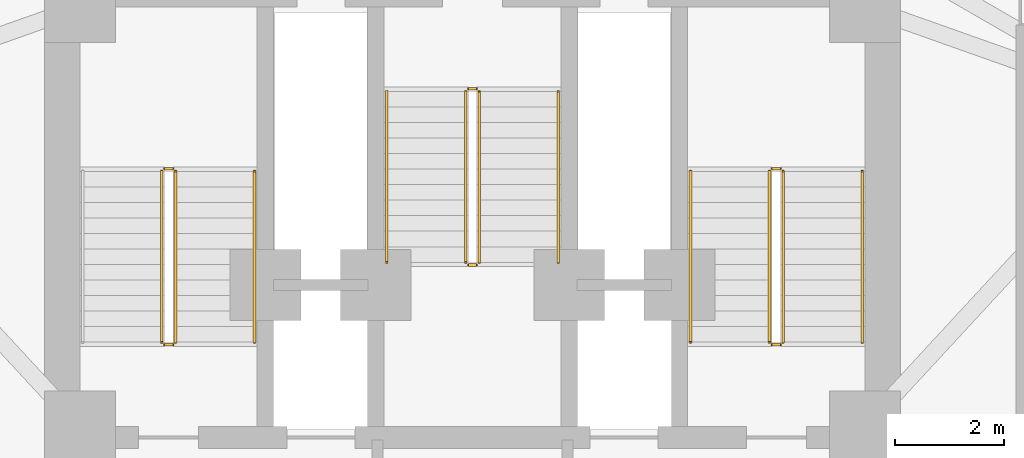
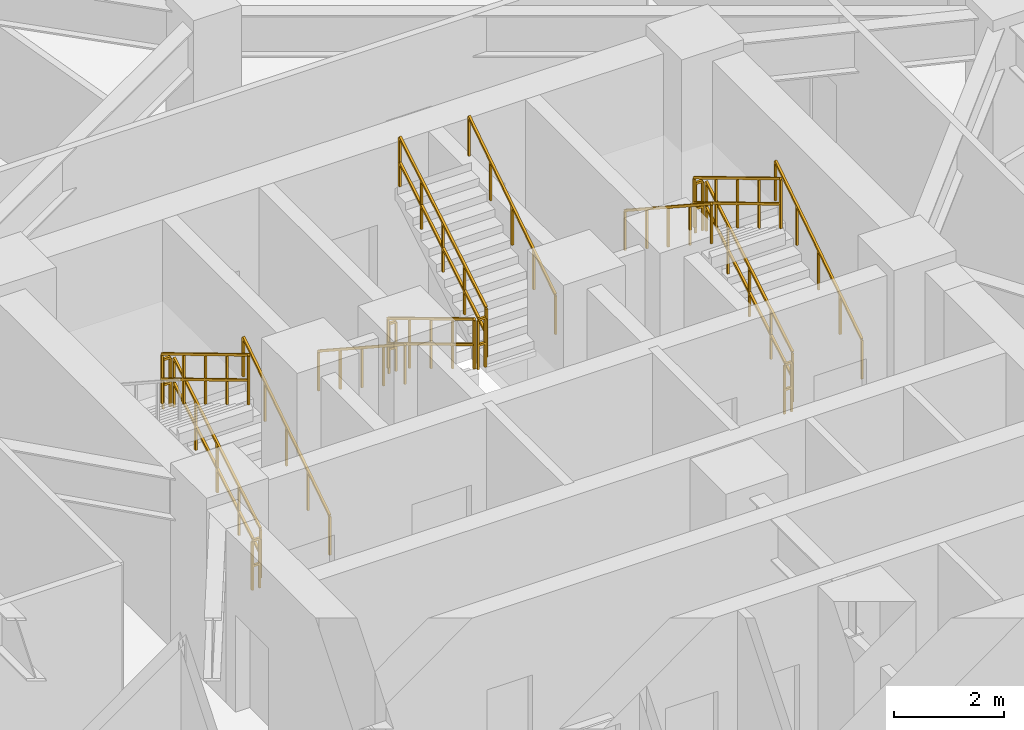
# One storey, part 10 of 11: 17 railings.
"""IFC4 building model written with IfcOpenShell, lengths in metres."""

from ifc_helpers import new_model, si_unit, direction, frame, origin, origin_2d, place, context, subcontext, project, spatial, rectangle, extrude, material, type_object, element, save


model = new_model("IFC4")

# Units and contexts
model_context = context("Model", 3, precision=1e-05, world=origin(), true_north=direction((0.0, 1.0)))
body_context = subcontext(model_context, "Body", "Model", "MODEL_VIEW")
ifc_project = project(units=[si_unit("LENGTHUNIT", "METRE"), si_unit("AREAUNIT", "SQUARE_METRE"), si_unit("VOLUMEUNIT", "CUBIC_METRE"), si_unit("PLANEANGLEUNIT", "RADIAN"), si_unit("MASSUNIT", "GRAM", prefix="KILO")], contexts=[model_context])

# Site, building, storey
site_placement = place(None, origin())
site = spatial("IfcSite", under=ifc_project, at=site_placement, CompositionType="ELEMENT")
building_placement = place(site_placement, origin())
building = spatial("IfcBuilding", under=site, at=building_placement, Name="Apsidion Concourse Tower", CompositionType="ELEMENT")
storey_placement = place(building_placement, frame((0.0, 0.0, 148.60009765625)))
storey = spatial("IfcBuildingStorey", under=building, at=storey_placement, Name="L34", CompositionType="ELEMENT", Elevation=148.60009765625)

# Railings
ifc_material = material(Name="Brushed stainless steel 316", Category="steel")
railing_type_1 = type_object("IfcRailingType", Name="RL-GUARD-1100", PredefinedType="GUARDRAIL", material=ifc_material)
railing_1_placement = place(storey_placement, frame((-5.449951171875, 3.0, 0.170654296875)))
element("IfcRailing", 1, at=railing_1_placement, inside=storey, type_object=railing_type_1, Name="L34 ST1 stair guard 1", PredefinedType="GUARDRAIL", context=body_context, shape_type="SweptSolid", body=[
    extrude(rectangle(XDim=0.048095703125, YDim=0.048095703125, at=origin_2d()), frame((0.0, 0.0, 1.09619140625), z_axis=(0.0, 0.857716804754, 0.514122439544), x_axis=(-1.0, 0.0, 0.0)), (0.0, 0.0, 1.0), 3.655029296875),
    extrude(rectangle(XDim=0.048095703125, YDim=0.048095703125, at=origin_2d()), frame((0.0, 0.0, 0.5361328125), z_axis=(0.0, 0.857716804754, 0.514122439544), x_axis=(-1.0, 0.0, 0.0)), (0.0, 0.0, 1.0), 3.655029296875),
    extrude(rectangle(XDim=0.0419921875, YDim=0.0419921875, at=origin_2d()), origin(), (0.0, 0.0, 1.0), 1.072021484375),
    extrude(rectangle(XDim=0.0419921875, YDim=0.0419921875, at=origin_2d()), frame((0.0, 0.78369140625, 0.4697265625)), (0.0, 0.0, 1.0), 1.072021484375),
    extrude(rectangle(XDim=0.0419921875, YDim=0.0419921875, at=origin_2d()), frame((0.0, 1.5673828125, 0.939453125)), (0.0, 0.0, 1.0), 1.072021484375),
    extrude(rectangle(XDim=0.0419921875, YDim=0.0419921875, at=origin_2d()), frame((0.0, 2.351318359375, 1.409423828125)), (0.0, 0.0, 1.0), 1.072021484375),
    extrude(rectangle(XDim=0.0419921875, YDim=0.0419921875, at=origin_2d()), frame((0.0, 3.135009765625, 1.879150390625)), (0.0, 0.0, 1.0), 1.072021484375),
])
railing_2_placement = place(storey_placement, frame((-5.5, 6.18505859375, 2.0498046875)))
element("IfcRailing", 2, at=railing_2_placement, inside=storey, type_object=railing_type_1, Name="L34 ST1 stair guard 2", PredefinedType="GUARDRAIL", context=body_context, shape_type="SweptSolid", body=[
    extrude(rectangle(XDim=0.048095703125, YDim=0.048095703125, at=origin_2d()), frame((0.0, 0.0, 1.09619140625), z_axis=(-1.0, 0.0, 0.0), x_axis=(0.0, -1.0, 0.0)), (0.0, 0.0, 1.0), 0.14990234375),
    extrude(rectangle(XDim=0.048095703125, YDim=0.048095703125, at=origin_2d()), frame((0.0, 0.0, 0.5361328125), z_axis=(-1.0, 0.0, 0.0), x_axis=(0.0, -1.0, 0.0)), (0.0, 0.0, 1.0), 0.14990234375),
    extrude(rectangle(XDim=0.0419921875, YDim=0.0419921875, at=origin_2d()), origin(), (0.0, 0.0, 1.0), 1.072021484375),
    extrude(rectangle(XDim=0.0419921875, YDim=0.0419921875, at=origin_2d()), frame((-0.14990234375, 0.0, 0.0)), (0.0, 0.0, 1.0), 1.072021484375),
])
railing_3_placement = place(storey_placement, frame((-5.699951171875, 6.135009765625, 2.220703125)))
element("IfcRailing", 3, at=railing_3_placement, inside=storey, type_object=railing_type_1, Name="L34 ST1 stair guard 3", PredefinedType="GUARDRAIL", context=body_context, shape_type="SweptSolid", body=[
    extrude(rectangle(XDim=0.048095703125, YDim=0.048095703125, at=origin_2d()), frame((0.0, 0.0, 1.09619140625), z_axis=(0.0, -0.857716804754, 0.514122439544), x_axis=(1.0, 0.0, 0.0)), (0.0, 0.0, 1.0), 3.655029296875),
    extrude(rectangle(XDim=0.048095703125, YDim=0.048095703125, at=origin_2d()), frame((0.0, 0.0, 0.5361328125), z_axis=(0.0, -0.857716804754, 0.514122439544), x_axis=(1.0, 0.0, 0.0)), (0.0, 0.0, 1.0), 3.655029296875),
    extrude(rectangle(XDim=0.0419921875, YDim=0.0419921875, at=origin_2d()), origin(), (0.0, 0.0, 1.0), 1.072021484375),
    extrude(rectangle(XDim=0.0419921875, YDim=0.0419921875, at=origin_2d()), frame((0.0, -0.78369140625, 0.4697265625)), (0.0, 0.0, 1.0), 1.072021484375),
    extrude(rectangle(XDim=0.0419921875, YDim=0.0419921875, at=origin_2d()), frame((0.0, -1.5673828125, 0.939453125)), (0.0, 0.0, 1.0), 1.072021484375),
    extrude(rectangle(XDim=0.0419921875, YDim=0.0419921875, at=origin_2d()), frame((0.0, -2.351318359375, 1.409423828125)), (0.0, 0.0, 1.0), 1.072021484375),
    extrude(rectangle(XDim=0.0419921875, YDim=0.0419921875, at=origin_2d()), frame((0.0, -3.135009765625, 1.879150390625)), (0.0, 0.0, 1.0), 1.072021484375),
])
railing_4_placement = place(storey_placement, frame((-5.5, 2.949951171875, 0.0)))
element("IfcRailing", 4, at=railing_4_placement, inside=storey, type_object=railing_type_1, Name="L34 ST1 stair guard 4", PredefinedType="GUARDRAIL", context=body_context, shape_type="SweptSolid", body=[
    extrude(rectangle(XDim=0.048095703125, YDim=0.048095703125, at=origin_2d()), frame((0.0, 0.0, 1.09619140625), z_axis=(-1.0, 0.0, 0.0), x_axis=(0.0, -1.0, 0.0)), (0.0, 0.0, 1.0), 0.14990234375),
    extrude(rectangle(XDim=0.048095703125, YDim=0.048095703125, at=origin_2d()), frame((0.0, 0.0, 0.5361328125), z_axis=(-1.0, 0.0, 0.0), x_axis=(0.0, -1.0, 0.0)), (0.0, 0.0, 1.0), 0.14990234375),
    extrude(rectangle(XDim=0.0419921875, YDim=0.0419921875, at=origin_2d()), origin(), (0.0, 0.0, 1.0), 1.072021484375),
    extrude(rectangle(XDim=0.0419921875, YDim=0.0419921875, at=origin_2d()), frame((-0.14990234375, 0.0, 0.0)), (0.0, 0.0, 1.0), 1.072021484375),
])
railing_5_placement = place(storey_placement, frame((5.699951171875, 3.0, 0.170654296875)))
element("IfcRailing", 5, at=railing_5_placement, inside=storey, type_object=railing_type_1, Name="L34 ST2 stair guard 1", PredefinedType="GUARDRAIL", context=body_context, shape_type="SweptSolid", body=[
    extrude(rectangle(XDim=0.048095703125, YDim=0.048095703125, at=origin_2d()), frame((0.0, 0.0, 1.09619140625), z_axis=(0.0, 0.857716804754, 0.514122439544), x_axis=(-1.0, 0.0, 0.0)), (0.0, 0.0, 1.0), 3.655029296875),
    extrude(rectangle(XDim=0.048095703125, YDim=0.048095703125, at=origin_2d()), frame((0.0, 0.0, 0.5361328125), z_axis=(0.0, 0.857716804754, 0.514122439544), x_axis=(-1.0, 0.0, 0.0)), (0.0, 0.0, 1.0), 3.655029296875),
    extrude(rectangle(XDim=0.0419921875, YDim=0.0419921875, at=origin_2d()), origin(), (0.0, 0.0, 1.0), 1.072021484375),
    extrude(rectangle(XDim=0.0419921875, YDim=0.0419921875, at=origin_2d()), frame((0.0, 0.78369140625, 0.4697265625)), (0.0, 0.0, 1.0), 1.072021484375),
    extrude(rectangle(XDim=0.0419921875, YDim=0.0419921875, at=origin_2d()), frame((0.0, 1.5673828125, 0.939453125)), (0.0, 0.0, 1.0), 1.072021484375),
    extrude(rectangle(XDim=0.0419921875, YDim=0.0419921875, at=origin_2d()), frame((0.0, 2.351318359375, 1.409423828125)), (0.0, 0.0, 1.0), 1.072021484375),
    extrude(rectangle(XDim=0.0419921875, YDim=0.0419921875, at=origin_2d()), frame((0.0, 3.135009765625, 1.879150390625)), (0.0, 0.0, 1.0), 1.072021484375),
])
railing_6_placement = place(storey_placement, frame((5.64990234375, 6.18505859375, 2.0498046875)))
element("IfcRailing", 6, at=railing_6_placement, inside=storey, type_object=railing_type_1, Name="L34 ST2 stair guard 2", PredefinedType="GUARDRAIL", context=body_context, shape_type="SweptSolid", body=[
    extrude(rectangle(XDim=0.048095703125, YDim=0.048095703125, at=origin_2d()), frame((0.0, 0.0, 1.09619140625), z_axis=(-1.0, 0.0, 0.0), x_axis=(0.0, -1.0, 0.0)), (0.0, 0.0, 1.0), 0.14990234375),
    extrude(rectangle(XDim=0.048095703125, YDim=0.048095703125, at=origin_2d()), frame((0.0, 0.0, 0.5361328125), z_axis=(-1.0, 0.0, 0.0), x_axis=(0.0, -1.0, 0.0)), (0.0, 0.0, 1.0), 0.14990234375),
    extrude(rectangle(XDim=0.0419921875, YDim=0.0419921875, at=origin_2d()), origin(), (0.0, 0.0, 1.0), 1.072021484375),
    extrude(rectangle(XDim=0.0419921875, YDim=0.0419921875, at=origin_2d()), frame((-0.14990234375, 0.0, 0.0)), (0.0, 0.0, 1.0), 1.072021484375),
])
railing_7_placement = place(storey_placement, frame((5.449951171875, 6.135009765625, 2.220703125)))
element("IfcRailing", 7, at=railing_7_placement, inside=storey, type_object=railing_type_1, Name="L34 ST2 stair guard 3", PredefinedType="GUARDRAIL", context=body_context, shape_type="SweptSolid", body=[
    extrude(rectangle(XDim=0.048095703125, YDim=0.048095703125, at=origin_2d()), frame((0.0, 0.0, 1.09619140625), z_axis=(0.0, -0.857716804754, 0.514122439544), x_axis=(1.0, 0.0, 0.0)), (0.0, 0.0, 1.0), 3.655029296875),
    extrude(rectangle(XDim=0.048095703125, YDim=0.048095703125, at=origin_2d()), frame((0.0, 0.0, 0.5361328125), z_axis=(0.0, -0.857716804754, 0.514122439544), x_axis=(1.0, 0.0, 0.0)), (0.0, 0.0, 1.0), 3.655029296875),
    extrude(rectangle(XDim=0.0419921875, YDim=0.0419921875, at=origin_2d()), origin(), (0.0, 0.0, 1.0), 1.072021484375),
    extrude(rectangle(XDim=0.0419921875, YDim=0.0419921875, at=origin_2d()), frame((0.0, -0.78369140625, 0.4697265625)), (0.0, 0.0, 1.0), 1.072021484375),
    extrude(rectangle(XDim=0.0419921875, YDim=0.0419921875, at=origin_2d()), frame((0.0, -1.5673828125, 0.939453125)), (0.0, 0.0, 1.0), 1.072021484375),
    extrude(rectangle(XDim=0.0419921875, YDim=0.0419921875, at=origin_2d()), frame((0.0, -2.351318359375, 1.409423828125)), (0.0, 0.0, 1.0), 1.072021484375),
    extrude(rectangle(XDim=0.0419921875, YDim=0.0419921875, at=origin_2d()), frame((0.0, -3.135009765625, 1.879150390625)), (0.0, 0.0, 1.0), 1.072021484375),
])
railing_8_placement = place(storey_placement, frame((5.64990234375, 2.949951171875, 0.0)))
element("IfcRailing", 8, at=railing_8_placement, inside=storey, type_object=railing_type_1, Name="L34 ST2 stair guard 4", PredefinedType="GUARDRAIL", context=body_context, shape_type="SweptSolid", body=[
    extrude(rectangle(XDim=0.048095703125, YDim=0.048095703125, at=origin_2d()), frame((0.0, 0.0, 1.09619140625), z_axis=(-1.0, 0.0, 0.0), x_axis=(0.0, -1.0, 0.0)), (0.0, 0.0, 1.0), 0.14990234375),
    extrude(rectangle(XDim=0.048095703125, YDim=0.048095703125, at=origin_2d()), frame((0.0, 0.0, 0.5361328125), z_axis=(-1.0, 0.0, 0.0), x_axis=(0.0, -1.0, 0.0)), (0.0, 0.0, 1.0), 0.14990234375),
    extrude(rectangle(XDim=0.0419921875, YDim=0.0419921875, at=origin_2d()), origin(), (0.0, 0.0, 1.0), 1.072021484375),
    extrude(rectangle(XDim=0.0419921875, YDim=0.0419921875, at=origin_2d()), frame((-0.14990234375, 0.0, 0.0)), (0.0, 0.0, 1.0), 1.072021484375),
])
railing_9_placement = place(storey_placement, frame((-0.125, 7.60009765625, 0.170654296875)))
element("IfcRailing", 9, at=railing_9_placement, inside=storey, type_object=railing_type_1, Name="L34 ST3 stair guard 1", PredefinedType="GUARDRAIL", context=body_context, shape_type="SweptSolid", body=[
    extrude(rectangle(XDim=0.048095703125, YDim=0.048095703125, at=origin_2d()), frame((0.0, 0.0, 1.09619140625), z_axis=(0.0, -0.857716804754, 0.514122439544), x_axis=(1.0, 0.0, 0.0)), (0.0, 0.0, 1.0), 3.655029296875),
    extrude(rectangle(XDim=0.048095703125, YDim=0.048095703125, at=origin_2d()), frame((0.0, 0.0, 0.5361328125), z_axis=(0.0, -0.857716804754, 0.514122439544), x_axis=(1.0, 0.0, 0.0)), (0.0, 0.0, 1.0), 3.655029296875),
    extrude(rectangle(XDim=0.0419921875, YDim=0.0419921875, at=origin_2d()), origin(), (0.0, 0.0, 1.0), 1.072021484375),
    extrude(rectangle(XDim=0.0419921875, YDim=0.0419921875, at=origin_2d()), frame((0.0, -0.78369140625, 0.4697265625)), (0.0, 0.0, 1.0), 1.072021484375),
    extrude(rectangle(XDim=0.0419921875, YDim=0.0419921875, at=origin_2d()), frame((0.0, -1.5673828125, 0.939453125)), (0.0, 0.0, 1.0), 1.072021484375),
    extrude(rectangle(XDim=0.0419921875, YDim=0.0419921875, at=origin_2d()), frame((0.0, -2.351318359375, 1.409423828125)), (0.0, 0.0, 1.0), 1.072021484375),
    extrude(rectangle(XDim=0.0419921875, YDim=0.0419921875, at=origin_2d()), frame((0.0, -3.135009765625, 1.879150390625)), (0.0, 0.0, 1.0), 1.072021484375),
])
railing_10_placement = place(storey_placement, frame((-0.074951171875, 4.4150390625, 2.0498046875)))
element("IfcRailing", 10, at=railing_10_placement, inside=storey, type_object=railing_type_1, Name="L34 ST3 stair guard 2", PredefinedType="GUARDRAIL", context=body_context, shape_type="SweptSolid", body=[
    extrude(rectangle(XDim=0.048095703125, YDim=0.048095703125, at=origin_2d()), frame((0.0, 0.0, 1.09619140625), z_axis=(1.0, 0.0, 0.0), x_axis=(0.0, 1.0, 0.0)), (0.0, 0.0, 1.0), 0.14990234375),
    extrude(rectangle(XDim=0.048095703125, YDim=0.048095703125, at=origin_2d()), frame((0.0, 0.0, 0.5361328125), z_axis=(1.0, 0.0, 0.0), x_axis=(0.0, 1.0, 0.0)), (0.0, 0.0, 1.0), 0.14990234375),
    extrude(rectangle(XDim=0.0419921875, YDim=0.0419921875, at=origin_2d()), origin(), (0.0, 0.0, 1.0), 1.072021484375),
    extrude(rectangle(XDim=0.0419921875, YDim=0.0419921875, at=origin_2d()), frame((0.14990234375, 0.0, 0.0)), (0.0, 0.0, 1.0), 1.072021484375),
])
railing_11_placement = place(storey_placement, frame((0.125, 4.465087890625, 2.220703125)))
element("IfcRailing", 11, at=railing_11_placement, inside=storey, type_object=railing_type_1, Name="L34 ST3 stair guard 3", PredefinedType="GUARDRAIL", context=body_context, shape_type="SweptSolid", body=[
    extrude(rectangle(XDim=0.048095703125, YDim=0.048095703125, at=origin_2d()), frame((0.0, 0.0, 1.09619140625), z_axis=(0.0, 0.857716804754, 0.514122439544), x_axis=(-1.0, 0.0, 0.0)), (0.0, 0.0, 1.0), 3.655029296875),
    extrude(rectangle(XDim=0.048095703125, YDim=0.048095703125, at=origin_2d()), frame((0.0, 0.0, 0.5361328125), z_axis=(0.0, 0.857716804754, 0.514122439544), x_axis=(-1.0, 0.0, 0.0)), (0.0, 0.0, 1.0), 3.655029296875),
    extrude(rectangle(XDim=0.0419921875, YDim=0.0419921875, at=origin_2d()), origin(), (0.0, 0.0, 1.0), 1.072021484375),
    extrude(rectangle(XDim=0.0419921875, YDim=0.0419921875, at=origin_2d()), frame((0.0, 0.78369140625, 0.4697265625)), (0.0, 0.0, 1.0), 1.072021484375),
    extrude(rectangle(XDim=0.0419921875, YDim=0.0419921875, at=origin_2d()), frame((0.0, 1.5673828125, 0.939453125)), (0.0, 0.0, 1.0), 1.072021484375),
    extrude(rectangle(XDim=0.0419921875, YDim=0.0419921875, at=origin_2d()), frame((0.0, 2.351318359375, 1.409423828125)), (0.0, 0.0, 1.0), 1.072021484375),
    extrude(rectangle(XDim=0.0419921875, YDim=0.0419921875, at=origin_2d()), frame((0.0, 3.135009765625, 1.879150390625)), (0.0, 0.0, 1.0), 1.072021484375),
])
railing_12_placement = place(storey_placement, frame((-0.074951171875, 7.64990234375, 0.0)))
element("IfcRailing", 12, at=railing_12_placement, inside=storey, type_object=railing_type_1, Name="L34 ST3 stair guard 4", PredefinedType="GUARDRAIL", context=body_context, shape_type="SweptSolid", body=[
    extrude(rectangle(XDim=0.048095703125, YDim=0.048095703125, at=origin_2d()), frame((0.0, 0.0, 1.09619140625), z_axis=(1.0, 0.0, 0.0), x_axis=(0.0, 1.0, 0.0)), (0.0, 0.0, 1.0), 0.14990234375),
    extrude(rectangle(XDim=0.048095703125, YDim=0.048095703125, at=origin_2d()), frame((0.0, 0.0, 0.5361328125), z_axis=(1.0, 0.0, 0.0), x_axis=(0.0, 1.0, 0.0)), (0.0, 0.0, 1.0), 0.14990234375),
    extrude(rectangle(XDim=0.0419921875, YDim=0.0419921875, at=origin_2d()), origin(), (0.0, 0.0, 1.0), 1.072021484375),
    extrude(rectangle(XDim=0.0419921875, YDim=0.0419921875, at=origin_2d()), frame((0.14990234375, 0.0, 0.0)), (0.0, 0.0, 1.0), 1.072021484375),
])
railing_type_2 = type_object("IfcRailingType", Name="RL-HAND-900", PredefinedType="HANDRAIL", material=ifc_material)
for number, where, name in (
    (13, (-4.0, 3.0, 0.170654296875), "L34 ST1 stair handrail 1"),
    (14, (7.14990234375, 3.0, 0.170654296875), "L34 ST2 stair handrail 1"),
):
    element("IfcRailing", number, at=place(storey_placement, frame(where)), inside=storey, type_object=railing_type_2, Name=name, PredefinedType="HANDRAIL", context=body_context, shape_type="SweptSolid", body=[
        extrude(rectangle(XDim=0.048095703125, YDim=0.048095703125, at=origin_2d()), frame((0.0, 0.0, 0.8759765625), z_axis=(0.0, 0.836940907821, 0.547293263996), x_axis=(-1.0, 0.0, 0.0)), (0.0, 0.0, 1.0), 3.745849609375),
        extrude(rectangle(XDim=0.0419921875, YDim=0.0419921875, at=origin_2d()), origin(), (0.0, 0.0, 1.0), 0.851806640625),
        extrude(rectangle(XDim=0.0419921875, YDim=0.0419921875, at=origin_2d()), frame((0.0, 0.78369140625, 0.512451171875)), (0.0, 0.0, 1.0), 0.851806640625),
        extrude(rectangle(XDim=0.0419921875, YDim=0.0419921875, at=origin_2d()), frame((0.0, 1.5673828125, 1.02490234375)), (0.0, 0.0, 1.0), 0.851806640625),
        extrude(rectangle(XDim=0.0419921875, YDim=0.0419921875, at=origin_2d()), frame((0.0, 2.351318359375, 1.53759765625)), (0.0, 0.0, 1.0), 0.851806640625),
        extrude(rectangle(XDim=0.0419921875, YDim=0.0419921875, at=origin_2d()), frame((0.0, 3.135009765625, 2.050048828125)), (0.0, 0.0, 1.0), 0.851806640625),
    ])
for number, where, name in (
    (15, (4.0, 6.135009765625, 2.220703125), "L34 ST2 stair handrail 2"),
    (16, (-1.574951171875, 7.60009765625, 0.170654296875), "L34 ST3 stair handrail 1"),
):
    element("IfcRailing", number, at=place(storey_placement, frame(where)), inside=storey, type_object=railing_type_2, Name=name, PredefinedType="HANDRAIL", context=body_context, shape_type="SweptSolid", body=[
        extrude(rectangle(XDim=0.048095703125, YDim=0.048095703125, at=origin_2d()), frame((0.0, 0.0, 0.8759765625), z_axis=(0.0, -0.836940907821, 0.547293263996), x_axis=(1.0, 0.0, 0.0)), (0.0, 0.0, 1.0), 3.745849609375),
        extrude(rectangle(XDim=0.0419921875, YDim=0.0419921875, at=origin_2d()), origin(), (0.0, 0.0, 1.0), 0.851806640625),
        extrude(rectangle(XDim=0.0419921875, YDim=0.0419921875, at=origin_2d()), frame((0.0, -0.78369140625, 0.512451171875)), (0.0, 0.0, 1.0), 0.851806640625),
        extrude(rectangle(XDim=0.0419921875, YDim=0.0419921875, at=origin_2d()), frame((0.0, -1.5673828125, 1.02490234375)), (0.0, 0.0, 1.0), 0.851806640625),
        extrude(rectangle(XDim=0.0419921875, YDim=0.0419921875, at=origin_2d()), frame((0.0, -2.351318359375, 1.53759765625)), (0.0, 0.0, 1.0), 0.851806640625),
        extrude(rectangle(XDim=0.0419921875, YDim=0.0419921875, at=origin_2d()), frame((0.0, -3.135009765625, 2.050048828125)), (0.0, 0.0, 1.0), 0.851806640625),
    ])
railing_13_placement = place(storey_placement, frame((1.574951171875, 4.465087890625, 2.220703125)))
element("IfcRailing", 17, at=railing_13_placement, inside=storey, type_object=railing_type_2, Name="L34 ST3 stair handrail 2", PredefinedType="HANDRAIL", context=body_context, shape_type="SweptSolid", body=[
    extrude(rectangle(XDim=0.048095703125, YDim=0.048095703125, at=origin_2d()), frame((0.0, 0.0, 0.8759765625), z_axis=(0.0, 0.836940907821, 0.547293263996), x_axis=(-1.0, 0.0, 0.0)), (0.0, 0.0, 1.0), 3.745849609375),
    extrude(rectangle(XDim=0.0419921875, YDim=0.0419921875, at=origin_2d()), origin(), (0.0, 0.0, 1.0), 0.851806640625),
    extrude(rectangle(XDim=0.0419921875, YDim=0.0419921875, at=origin_2d()), frame((0.0, 0.78369140625, 0.512451171875)), (0.0, 0.0, 1.0), 0.851806640625),
    extrude(rectangle(XDim=0.0419921875, YDim=0.0419921875, at=origin_2d()), frame((0.0, 1.5673828125, 1.02490234375)), (0.0, 0.0, 1.0), 0.851806640625),
    extrude(rectangle(XDim=0.0419921875, YDim=0.0419921875, at=origin_2d()), frame((0.0, 2.351318359375, 1.53759765625)), (0.0, 0.0, 1.0), 0.851806640625),
    extrude(rectangle(XDim=0.0419921875, YDim=0.0419921875, at=origin_2d()), frame((0.0, 3.135009765625, 2.050048828125)), (0.0, 0.0, 1.0), 0.851806640625),
])

save(model, "model.ifc")
